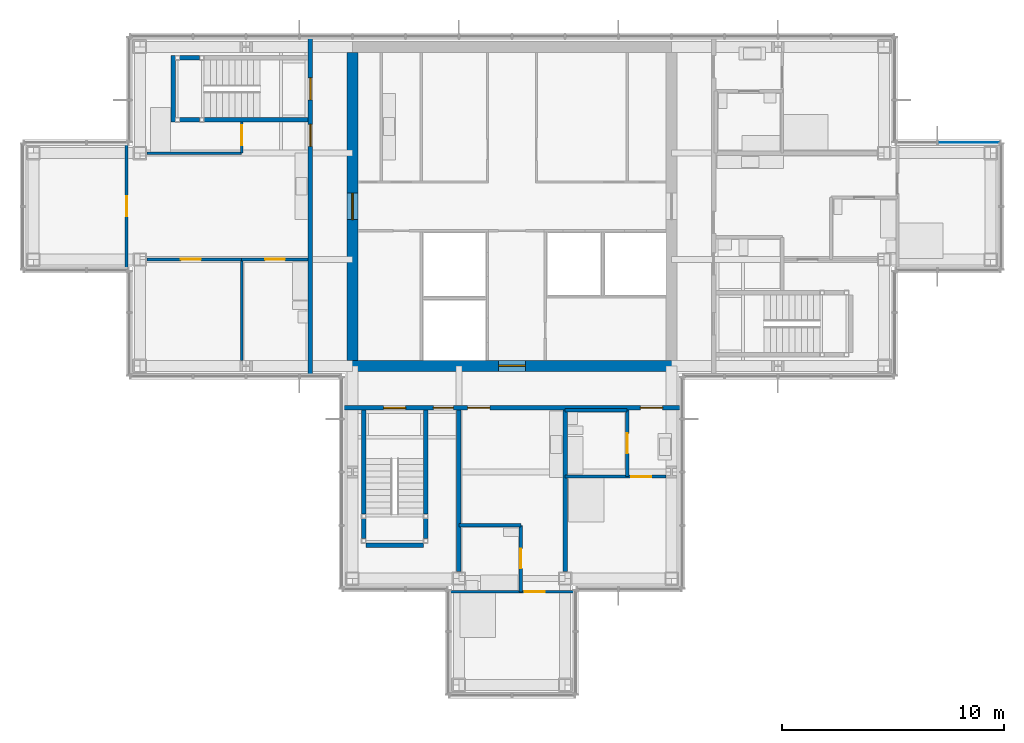
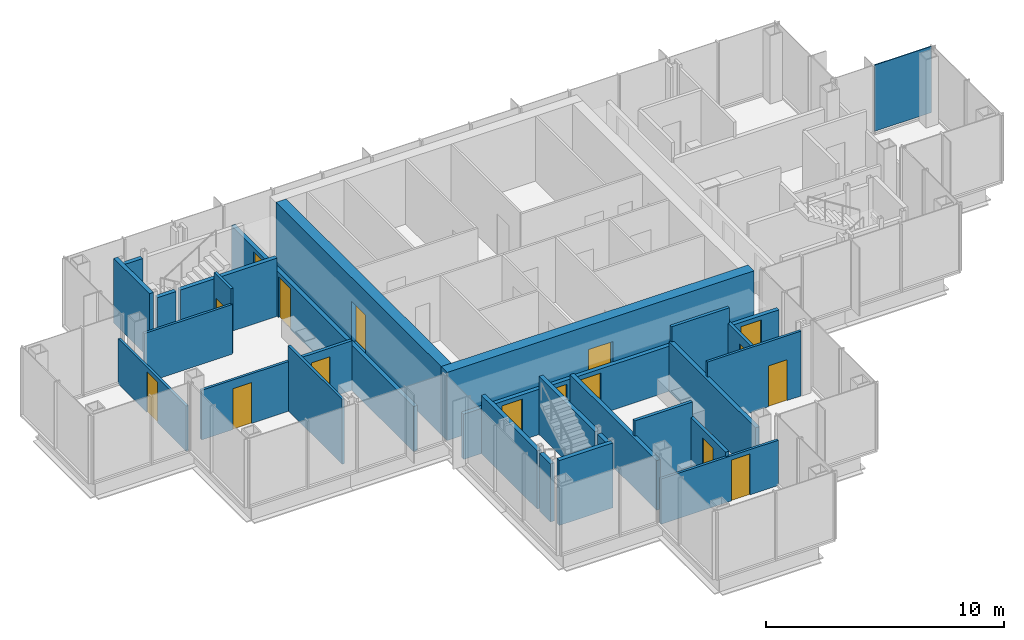
# One storey, part 10 of 15: 27 walls, 16 doors, 1 plate, 16 openings, 1 element without a shape of its own.
"""IFC4 building model written with IfcOpenShell, lengths in metres."""

import ifcopenshell
import ifcopenshell.guid

model = None  # the IFC model being written
_history = None  # IfcOwnerHistory: only IFC2X3 demands one
_inside = {}  # id of a spatial element -> (the spatial element, [elements in it])
_under = {}  # id of a project, library or spatial element -> (it, [spatial elements below it])
_declared = {}  # id of a project -> (the project, [libraries it declares])
_typed = {}  # id of a type object -> (the type object, [elements of that type])
_made_of = {}  # id of a material, layer set ... -> (it, [elements and type objects made of it])


def new_model(schema):
    """Start an empty IFC model of exactly this schema.

    Asked for "IFC4X3", IfcOpenShell would pick the latest addendum, in which some entities
    have other attributes; the version numbers below select the first issue.
    IFC2X3 requires an IfcOwnerHistory on every rooted entity: one is made here for all.
    """
    global model, _history
    if schema == "IFC4X3":
        model = ifcopenshell.file(schema_version=(4, 3, 0, 0))
    else:
        model = ifcopenshell.file(schema=schema)
    _inside.clear()
    _under.clear()
    _declared.clear()
    _typed.clear()
    _made_of.clear()
    _history = None
    if model.schema == "IFC2X3":
        org = make("IfcOrganization", Name="unknown")
        user = make(
            "IfcPersonAndOrganization",
            ThePerson=make("IfcPerson", FamilyName="unknown"),
            TheOrganization=org,
        )
        app = make(
            "IfcApplication",
            ApplicationDeveloper=org,
            Version="unknown",
            ApplicationFullName="unknown",
            ApplicationIdentifier="unknown",
        )
        _history = make(
            "IfcOwnerHistory",
            OwningUser=user,
            OwningApplication=app,
            ChangeAction="ADDED",
            CreationDate=0,
        )
    return model


def make(cls, **values):
    """One entity of the class cls with the attributes given. An attribute that is None is left unset."""
    return model.create_entity(
        cls, **{name: value for name, value in values.items() if value is not None}
    )


def rooted(cls, **values):
    """An entity with a GlobalId (a new one), such as an element, a storey or a relation."""
    return make(cls, GlobalId=ifcopenshell.guid.new(), OwnerHistory=_history, **values)


def si_unit(unit_type, name, prefix=None):
    """IfcSIUnit, for example si_unit("LENGTHUNIT", "METRE", prefix="MILLI")."""
    return make("IfcSIUnit", UnitType=unit_type, Prefix=prefix, Name=name)


def assignment(units):
    """IfcUnitAssignment: the units of a project."""
    return None if units is None else make("IfcUnitAssignment", Units=units)


def point(xyz):
    """IfcCartesianPoint."""
    return None if xyz is None else make("IfcCartesianPoint", Coordinates=xyz)


def direction(xyz):
    """IfcDirection."""
    return None if xyz is None else make("IfcDirection", DirectionRatios=xyz)


def frame(location, z_axis=None, x_axis=None):
    """IfcAxis2Placement3D, a coordinate frame: its origin and axes. An axis left out is left unset."""
    return make(
        "IfcAxis2Placement3D",
        Location=point(location),
        Axis=direction(z_axis),
        RefDirection=direction(x_axis),
    )


def frame_2d(location, x_axis=None):
    """IfcAxis2Placement2D, a coordinate frame in the plane: its origin and x axis."""
    return make(
        "IfcAxis2Placement2D", Location=point(location), RefDirection=direction(x_axis)
    )


def origin():
    """The frame at (0, 0, 0) with its axes left unset."""
    return frame((0.0, 0.0, 0.0))


def origin_2d():
    """The frame at (0, 0) in the plane with its x axis left unset."""
    return frame_2d((0.0, 0.0))


def place(relative_to, where):
    """IfcLocalPlacement: puts the frame where relative to a parent placement (None: the world)."""
    return make(
        "IfcLocalPlacement", PlacementRelTo=relative_to, RelativePlacement=where
    )


def context(
    kind, dimensions, precision=None, world=None, true_north=None, identifier=None
):
    """IfcGeometricRepresentationContext, for example the 3D "Model" context."""
    return make(
        "IfcGeometricRepresentationContext",
        ContextIdentifier=identifier,
        ContextType=kind,
        CoordinateSpaceDimension=dimensions,
        Precision=precision,
        WorldCoordinateSystem=world,
        TrueNorth=true_north,
    )


def subcontext(parent, identifier, kind, view, scale=None):
    """IfcGeometricRepresentationSubContext, for example "Body" below "Model"."""
    return make(
        "IfcGeometricRepresentationSubContext",
        ContextIdentifier=identifier,
        ContextType=kind,
        ParentContext=parent,
        TargetScale=scale,
        TargetView=view,
    )


def project(units=None, contexts=None):
    """IfcProject with its units and contexts."""
    return rooted(
        "IfcProject",
        Name="project",
        RepresentationContexts=contexts,
        UnitsInContext=assignment(units),
    )


def spatial(cls, under=None, at=None, **own):
    """A site, building, storey or space (cls), placed at a placement, below another one or the project."""
    s = rooted(cls, ObjectPlacement=at, **own)
    if under is not None:
        _under.setdefault(under.id(), (under, []))[1].append(s)
    return s


def profile(cls, at=None, kind="AREA", **sizes):
    """A parametric profile (cls). Its sizes go by their IFC names, for example OverallWidth=200.0."""
    return make(cls, ProfileType=kind, Position=at, **sizes)


def rectangle(**sizes):
    """IfcRectangleProfileDef."""
    return profile("IfcRectangleProfileDef", **sizes)


def extrude(swept, where, along, depth):
    """IfcExtrudedAreaSolid: the profile swept, set in the frame where, extruded along a direction by depth."""
    return make(
        "IfcExtrudedAreaSolid",
        SweptArea=swept,
        Position=where,
        ExtrudedDirection=direction(along),
        Depth=depth,
    )


def shape(context_of_items, identifier, shape_type, items):
    """IfcShapeRepresentation: the items that make up one representation, for example the "Body"."""
    return make(
        "IfcShapeRepresentation",
        ContextOfItems=context_of_items,
        RepresentationIdentifier=identifier,
        RepresentationType=shape_type,
        Items=items,
    )


def material(Name=None, Category=None):
    """IfcMaterial."""
    return make("IfcMaterial", Name=Name, Category=Category)


def layer(
    of_material, thickness, ventilated=None, Name=None, Category=None, Priority=None
):
    """IfcMaterialLayer: one layer of a wall or slab, of a material (None: an air gap)."""
    return make(
        "IfcMaterialLayer",
        Material=of_material,
        LayerThickness=thickness,
        IsVentilated=ventilated,
        Name=Name,
        Category=Category,
        Priority=Priority,
    )


def layer_set(layers, Name=None):
    """IfcMaterialLayerSet."""
    return make("IfcMaterialLayerSet", MaterialLayers=layers, LayerSetName=Name)


def made_of(thing, what):
    """Note that an element or type object is made of a material, layer set ...; save() writes the relation."""
    if what is not None:
        _made_of.setdefault(what.id(), (what, []))[1].append(thing)
    return thing


def type_object(cls, material=None, **own):
    """A type object (cls), such as IfcWallType, which elements share."""
    return made_of(rooted(cls, **own), material)


def element(
    cls,
    number,
    at=None,
    inside=None,
    cuts=None,
    type_object=None,
    material=None,
    context=None,
    identifier="Body",
    shape_type=None,
    held_by="IfcProductDefinitionShape",
    body=None,
    shapes=None,
    **own,
):
    """One element of the class cls, such as IfcWall. Its Tag is "e" and its number.

    at: its placement. inside: the storey or other place that contains it. cuts: it is an
    opening in that element (IfcRelVoidsElement). A single representation is given by context,
    identifier, shape_type and body (its items); several are given by shapes. held_by: the class
    of the entity that holds the representations. save() writes the other relations.
    """
    e = rooted(cls, Tag="e%d" % number, ObjectPlacement=at, **own)
    if body is not None:
        shapes = [shape(context, identifier, shape_type, body)]
    if shapes is not None:
        e.Representation = make(held_by, Representations=shapes)
    if inside is not None:
        _inside.setdefault(inside.id(), (inside, []))[1].append(e)
    if cuts is not None:
        rooted(
            "IfcRelVoidsElement", RelatingBuildingElement=cuts, RelatedOpeningElement=e
        )
    if type_object is not None:
        _typed.setdefault(type_object.id(), (type_object, []))[1].append(e)
    return made_of(e, material)


def fill(opening, filler):
    """IfcRelFillsElement: the door or window that sits in an opening."""
    return rooted(
        "IfcRelFillsElement",
        RelatingOpeningElement=opening,
        RelatedBuildingElement=filler,
    )


def aggregate(whole, parts):
    """IfcRelAggregates: a whole, such as a stair, and the parts it consists of."""
    return rooted("IfcRelAggregates", RelatingObject=whole, RelatedObjects=parts)


def save(model, path):
    """Write the relations noted so far, then the file.

    IfcRelAggregates (storeys below a building ...), IfcRelContainedInSpatialStructure (elements
    in a storey), IfcRelDefinesByType, IfcRelAssociatesMaterial and IfcRelDeclares: one each for
    every whole, place, type object, material and project.
    """
    for whole, parts in _under.values():
        aggregate(whole, parts)
    for where, things in _inside.values():
        rooted(
            "IfcRelContainedInSpatialStructure",
            RelatedElements=things,
            RelatingStructure=where,
        )
    for kind, things in _typed.values():
        rooted("IfcRelDefinesByType", RelatedObjects=things, RelatingType=kind)
    for what, things in _made_of.values():
        rooted("IfcRelAssociatesMaterial", RelatedObjects=things, RelatingMaterial=what)
    for by, libraries in _declared.values():
        rooted("IfcRelDeclares", RelatingContext=by, RelatedDefinitions=libraries)
    model.write(path)


model = new_model("IFC4")

# Units and contexts
model_context = context("Model", 3, precision=1e-05, world=origin(), true_north=direction((0.0, 1.0)))
body_context = subcontext(model_context, "Body", "Model", "MODEL_VIEW")
ifc_project = project(units=[si_unit("LENGTHUNIT", "METRE"), si_unit("AREAUNIT", "SQUARE_METRE"), si_unit("VOLUMEUNIT", "CUBIC_METRE"), si_unit("PLANEANGLEUNIT", "RADIAN"), si_unit("MASSUNIT", "GRAM", prefix="KILO")], contexts=[model_context])

# Site, building, storey
site_placement = place(None, origin())
site = spatial("IfcSite", under=ifc_project, at=site_placement, CompositionType="ELEMENT")
building_placement = place(site_placement, origin())
building = spatial("IfcBuilding", under=site, at=building_placement, Name="Kvirike Care Tower", CompositionType="ELEMENT")
storey_placement = place(building_placement, frame((0.0, 0.0, 222.5)))
storey = spatial("IfcBuildingStorey", under=building, at=storey_placement, Name="L61", CompositionType="ELEMENT", Elevation=222.5)

# Curtain wall, plate
ifc_material_1 = material(Name="Anodised aluminium stick system", Category="aluminium")
curtain_wall_type = type_object("IfcCurtainWallType", Name="CW-D STICK CURTAIN WALL", PredefinedType="NOTDEFINED", material=ifc_material_1)
curtain_wall_placement = place(storey_placement, origin())
curtain_wall = element("IfcCurtainWall", 1, at=curtain_wall_placement, inside=storey, type_object=curtain_wall_type, Name="Curtain wall L61 face 5", PredefinedType="NOTDEFINED")
ifc_material_2 = material(Name="Tinted double glazed unit", Category="glass")
ifc_layer_1 = layer(ifc_material_2, 0.0439453125)
ifc_layer_set_1 = layer_set([ifc_layer_1], Name="TINTED VISION PANEL 44")
plate_type = type_object("IfcPlateType", Name="TINTED VISION PANEL 44", PredefinedType="CURTAIN_PANEL", material=ifc_layer_set_1)
plate_placement = place(storey_placement, frame((42.2236328125, 38.8798828125, 0.10009765625), z_axis=(0.0, 0.0, 1.0), x_axis=(-1.0, 0.0, 0.0)))
plate = element("IfcPlate", 2, at=plate_placement, type_object=plate_type, Name="CW-D panel L61 face 5.1", PredefinedType="CURTAIN_PANEL", context=body_context, shape_type="SweptSolid", body=[
    extrude(rectangle(XDim=2.782470703125, YDim=0.0439453125, at=origin_2d()), origin(), (0.0, 0.0, 1.0), 3.39990234375),
])
aggregate(curtain_wall, [plate])

# Wall, opening, door
ifc_material_3 = material(Name="Moisture-resistant board partition", Category="gypsum")
ifc_layer_2 = layer(ifc_material_3, 0.14990234375)
ifc_layer_set_2 = layer_set([ifc_layer_2], Name="BATHROOM WALL 150")
wall_type_1 = type_object("IfcWallType", Name="BATHROOM WALL 150", PredefinedType="PARTITIONING", material=ifc_layer_set_2)
wall_1_placement = place(storey_placement, frame((9.39990234375, 33.60009765625, 0.0), z_axis=(0.0, 0.0, 1.0), x_axis=(1.0, 0.0, 0.0)))
wall_1 = element("IfcWall", 3, at=wall_1_placement, inside=storey, type_object=wall_type_1, Name="Bathroom Wall 150 L61", PredefinedType="PARTITIONING", context=body_context, shape_type="SweptSolid", body=[
    extrude(rectangle(XDim=3.0, YDim=0.14990234375, at=frame_2d((1.5, 0.0))), origin(), (0.0, 0.0, 1.0), 2.550048828125),
])
opening_1_placement = place(wall_1_placement, frame((1.050048828125, 0.0, 0.0)))
opening_1 = element("IfcOpeningElement", 4, at=opening_1_placement, cuts=wall_1, Name="Opening 61-001", PredefinedType="OPENING", context=body_context, shape_type="SweptSolid", body=[
    extrude(rectangle(XDim=0.89990234375, YDim=2.10009765625, at=frame_2d((0.449951171875, 1.050048828125))), frame((0.0, 0.08544921875, 0.0), z_axis=(0.0, -1.0, 0.0), x_axis=(1.0, 0.0, 0.0)), (0.0, 0.0, 1.0), 0.1708984375),
])
ifc_material_4 = material(Name="Timber door set", Category="wood")
door_type_1 = type_object("IfcDoorType", Name="BATHROOM DOOR 900", OperationType="SINGLE_SWING_RIGHT", PredefinedType="DOOR", material=ifc_material_4)
door_1_placement = place(opening_1_placement, frame((0.89990234375, 0.0, 0.0), z_axis=(0.0, 0.0, 1.0), x_axis=(-1.0, 0.0, 0.0)))
door_1 = element("IfcDoor", 5, at=door_1_placement, inside=storey, type_object=door_type_1, Name="Bathroom door", OperationType="SINGLE_SWING_LEFT", OverallHeight=2.10009765625, OverallWidth=0.89990234375, PredefinedType="DOOR", context=body_context, shape_type="SweptSolid", body=[
    extrude(rectangle(XDim=0.89990234375, YDim=2.10009765625, at=frame_2d((0.449951171875, 1.050048828125))), frame((0.0, 0.02197265625, 0.0), z_axis=(0.0, -1.0, 0.0), x_axis=(1.0, 0.0, 0.0)), (0.0, 0.0, 1.0), 0.0439453125),
])
fill(opening_1, door_1)

wall_2_placement = place(storey_placement, frame((22.0, 18.60009765625, 0.0), z_axis=(0.0, 0.0, 1.0), x_axis=(0.0, 1.0, 0.0)))
wall_2 = element("IfcWall", 6, at=wall_2_placement, inside=storey, type_object=wall_type_1, Name="Bathroom Wall 150 L61", PredefinedType="PARTITIONING", context=body_context, shape_type="SweptSolid", body=[
    extrude(rectangle(XDim=3.0, YDim=0.14990234375, at=frame_2d((1.5, 0.0))), origin(), (0.0, 0.0, 1.0), 2.550048828125),
])
opening_2_placement = place(wall_2_placement, frame((1.050048828125, 0.0, 0.0)))
opening_2 = element("IfcOpeningElement", 7, at=opening_2_placement, cuts=wall_2, Name="Opening 61-007", PredefinedType="OPENING", context=body_context, shape_type="SweptSolid", body=[
    extrude(rectangle(XDim=0.89990234375, YDim=2.10009765625, at=frame_2d((0.449951171875, 1.050048828125))), frame((0.0, 0.08544921875, 0.0), z_axis=(0.0, -1.0, 0.0), x_axis=(1.0, 0.0, 0.0)), (0.0, 0.0, 1.0), 0.1708984375),
])
door_2_placement = place(opening_2_placement, origin())
door_2 = element("IfcDoor", 8, at=door_2_placement, inside=storey, type_object=door_type_1, Name="Bathroom door", OperationType="SINGLE_SWING_LEFT", OverallHeight=2.10009765625, OverallWidth=0.89990234375, PredefinedType="DOOR", context=body_context, shape_type="SweptSolid", body=[
    extrude(rectangle(XDim=0.89990234375, YDim=2.10009765625, at=frame_2d((0.449951171875, 1.050048828125))), frame((0.0, 0.02197265625, 0.0), z_axis=(0.0, -1.0, 0.0), x_axis=(1.0, 0.0, 0.0)), (0.0, 0.0, 1.0), 0.0439453125),
])
fill(opening_2, door_2)

# Wall
wall_3_placement = place(storey_placement, frame((19.199951171875, 21.60009765625, 0.0), z_axis=(0.0, 0.0, 1.0), x_axis=(1.0, 0.0, 0.0)))
element("IfcWall", 9, at=wall_3_placement, inside=storey, type_object=wall_type_1, Name="Bathroom Wall 150 L61", PredefinedType="PARTITIONING", context=body_context, shape_type="SweptSolid", body=[
    extrude(rectangle(XDim=2.800048828125, YDim=0.14990234375, at=frame_2d((1.39990234375, 0.0))), origin(), (0.0, 0.0, 1.0), 3.330078125),
])

# Wall, opening, door
wall_4_placement = place(storey_placement, frame((26.800048828125, 23.800048828125, 0.0), z_axis=(0.0, 0.0, 1.0), x_axis=(0.0, 1.0, 0.0)))
wall_4 = element("IfcWall", 10, at=wall_4_placement, inside=storey, type_object=wall_type_1, Name="Bathroom Wall 150 L61", PredefinedType="PARTITIONING", context=body_context, shape_type="SweptSolid", body=[
    extrude(rectangle(XDim=3.0, YDim=0.14990234375, at=frame_2d((1.5, 0.0))), origin(), (0.0, 0.0, 1.0), 2.550048828125),
])
opening_3_placement = place(wall_4_placement, frame((1.050048828125, 0.0, 0.0)))
opening_3 = element("IfcOpeningElement", 11, at=opening_3_placement, cuts=wall_4, Name="Opening 61-009", PredefinedType="OPENING", context=body_context, shape_type="SweptSolid", body=[
    extrude(rectangle(XDim=0.89990234375, YDim=2.10009765625, at=frame_2d((0.449951171875, 1.050048828125))), frame((0.0, 0.08544921875, 0.0), z_axis=(0.0, -1.0, 0.0), x_axis=(1.0, 0.0, 0.0)), (0.0, 0.0, 1.0), 0.1708984375),
])
door_3_placement = place(opening_3_placement, frame((0.89990234375, 0.0, 0.0), z_axis=(0.0, 0.0, 1.0), x_axis=(-1.0, 0.0, 0.0)))
door_3 = element("IfcDoor", 12, at=door_3_placement, inside=storey, type_object=door_type_1, Name="Bathroom door", OperationType="SINGLE_SWING_LEFT", OverallHeight=2.10009765625, OverallWidth=0.89990234375, PredefinedType="DOOR", context=body_context, shape_type="SweptSolid", body=[
    extrude(rectangle(XDim=0.89990234375, YDim=2.10009765625, at=frame_2d((0.449951171875, 1.050048828125))), frame((0.0, 0.02197265625, 0.0), z_axis=(0.0, -1.0, 0.0), x_axis=(1.0, 0.0, 0.0)), (0.0, 0.0, 1.0), 0.0439453125),
])
fill(opening_3, door_3)

# Wall
wall_5_placement = place(storey_placement, frame((24.0, 26.800048828125, 0.0), z_axis=(0.0, 0.0, 1.0), x_axis=(1.0, 0.0, 0.0)))
element("IfcWall", 13, at=wall_5_placement, inside=storey, type_object=wall_type_1, Name="Bathroom Wall 150 L61", PredefinedType="PARTITIONING", context=body_context, shape_type="SweptSolid", body=[
    extrude(rectangle(XDim=2.800048828125, YDim=0.14990234375, at=frame_2d((1.39990234375, 0.0))), origin(), (0.0, 0.0, 1.0), 3.330078125),
])

# Wall, opening, door
ifc_material_5 = material(Name="Concrete C40/50", Category="concrete")
ifc_layer_3 = layer(ifc_material_5, 0.5)
ifc_layer_set_3 = layer_set([ifc_layer_3], Name="CORE WALL 500 C40-50")
wall_type_2 = type_object("IfcWallType", Name="CORE WALL 500 C40-50", PredefinedType="SHEAR", material=ifc_layer_set_3)
wall_6_placement = place(storey_placement, frame((14.14990234375, 28.800048828125, -0.169921875), z_axis=(0.0, 0.0, 1.0), x_axis=(1.0, 0.0, 0.0)))
wall_6 = element("IfcWall", 14, at=wall_6_placement, inside=storey, type_object=wall_type_2, Name="Core wall S L61", PredefinedType="SHEAR", context=body_context, shape_type="SweptSolid", body=[
    extrude(rectangle(XDim=14.900146484375, YDim=0.5, at=frame_2d((7.4501953125, 0.0))), origin(), (0.0, 0.0, 1.0), 3.5),
])
opening_4_placement = place(wall_6_placement, frame((6.85009765625, 0.0, 0.169921875)))
opening_4 = element("IfcOpeningElement", 15, at=opening_4_placement, cuts=wall_6, Name="Opening 61-037", PredefinedType="OPENING", context=body_context, shape_type="SweptSolid", body=[
    extrude(rectangle(XDim=1.199951171875, YDim=2.10009765625, at=frame_2d((0.60009765625, 1.050048828125))), frame((0.0, 0.260498046875, 0.0), z_axis=(0.0, -1.0, 0.0), x_axis=(1.0, 0.0, 0.0)), (0.0, 0.0, 1.0), 0.52099609375),
])
ifc_material_6 = material(Name="Timber door set", Category="wood")
door_type_2 = type_object("IfcDoorType", Name="CORE DOOR 1200", OperationType="SINGLE_SWING_LEFT", PredefinedType="DOOR", material=ifc_material_6)
door_4_placement = place(opening_4_placement, origin())
door_4 = element("IfcDoor", 16, at=door_4_placement, inside=storey, type_object=door_type_2, Name="Core door S L61", OperationType="SINGLE_SWING_LEFT", OverallHeight=2.10009765625, OverallWidth=1.199951171875, PredefinedType="DOOR", context=body_context, shape_type="SweptSolid", body=[
    extrude(rectangle(XDim=1.199951171875, YDim=2.10009765625, at=frame_2d((0.60009765625, 1.050048828125))), frame((0.0, 0.02685546875, 0.0), z_axis=(0.0, -1.0, 0.0), x_axis=(1.0, 0.0, 0.0)), (0.0, 0.0, 1.0), 0.053955078125),
])
fill(opening_4, door_4)

wall_7_placement = place(storey_placement, frame((14.39990234375, 42.949951171875, -0.169921875), z_axis=(0.0, 0.0, 1.0), x_axis=(0.0, -1.0, 0.0)))
wall_7 = element("IfcWall", 17, at=wall_7_placement, inside=storey, type_object=wall_type_2, Name="Core wall W L61", PredefinedType="SHEAR", context=body_context, shape_type="SweptSolid", body=[
    extrude(rectangle(XDim=13.89990234375, YDim=0.5, at=frame_2d((6.949951171875, 0.0))), origin(), (0.0, 0.0, 1.0), 3.5),
])
opening_5_placement = place(wall_7_placement, frame((6.35009765625, 0.0, 0.169921875)))
opening_5 = element("IfcOpeningElement", 18, at=opening_5_placement, cuts=wall_7, Name="Opening 61-038", PredefinedType="OPENING", context=body_context, shape_type="SweptSolid", body=[
    extrude(rectangle(XDim=1.199951171875, YDim=2.10009765625, at=frame_2d((0.60009765625, 1.050048828125))), frame((0.0, 0.260498046875, 0.0), z_axis=(0.0, -1.0, 0.0), x_axis=(1.0, 0.0, 0.0)), (0.0, 0.0, 1.0), 0.52099609375),
])
door_5_placement = place(opening_5_placement, origin())
door_5 = element("IfcDoor", 19, at=door_5_placement, inside=storey, type_object=door_type_2, Name="Core door W L61", OperationType="SINGLE_SWING_LEFT", OverallHeight=2.10009765625, OverallWidth=1.199951171875, PredefinedType="DOOR", context=body_context, shape_type="SweptSolid", body=[
    extrude(rectangle(XDim=1.199951171875, YDim=2.10009765625, at=frame_2d((0.60009765625, 1.050048828125))), frame((0.0, 0.02685546875, 0.0), z_axis=(0.0, -1.0, 0.0), x_axis=(1.0, 0.0, 0.0)), (0.0, 0.0, 1.0), 0.053955078125),
])
fill(opening_5, door_5)

# Wall, openings, doors
ifc_material_7 = material(Name="Plasterboard corridor wall", Category="gypsum")
ifc_layer_4 = layer(ifc_material_7, 0.199951171875)
ifc_layer_set_4 = layer_set([ifc_layer_4], Name="CORRIDOR WALL 200")
wall_type_3 = type_object("IfcWallType", Name="CORRIDOR WALL 200", PredefinedType="PARTITIONING", material=ifc_layer_set_4)
wall_8_placement = place(storey_placement, frame((12.5, 43.655029296875, 0.0), z_axis=(0.0, 0.0, 1.0), x_axis=(0.0, -1.0, 0.0)))
wall_8 = element("IfcWall", 20, at=wall_8_placement, inside=storey, type_object=wall_type_3, Name="Corridor Wall 200 L61", PredefinedType="PARTITIONING", context=body_context, shape_type="SweptSolid", body=[
    extrude(rectangle(XDim=15.31005859375, YDim=0.199951171875, at=frame_2d((7.655029296875, 0.0))), origin(), (0.0, 0.0, 1.0), 2.320068359375),
])
opening_6_placement = place(wall_8_placement, frame((1.85498046875, 0.0, 0.0)))
opening_6 = element("IfcOpeningElement", 21, at=opening_6_placement, cuts=wall_8, Name="Opening 61-005", PredefinedType="OPENING", context=body_context, shape_type="SweptSolid", body=[
    extrude(rectangle(XDim=1.0, YDim=2.10009765625, at=frame_2d((0.5, 1.050048828125))), frame((0.0, 0.110595703125, 0.0), z_axis=(0.0, -1.0, 0.0), x_axis=(1.0, 0.0, 0.0)), (0.0, 0.0, 1.0), 0.220947265625),
])
opening_7_placement = place(wall_8_placement, frame((3.955078125, 0.0, 0.0)))
opening_7 = element("IfcOpeningElement", 22, at=opening_7_placement, cuts=wall_8, Name="Opening 61-006", PredefinedType="OPENING", context=body_context, shape_type="SweptSolid", body=[
    extrude(rectangle(XDim=1.0, YDim=2.10009765625, at=frame_2d((0.5, 1.050048828125))), frame((0.0, 0.110595703125, 0.0), z_axis=(0.0, -1.0, 0.0), x_axis=(1.0, 0.0, 0.0)), (0.0, 0.0, 1.0), 0.220947265625),
])
ifc_material_8 = material(Name="Timber door set", Category="wood")
door_type_3 = type_object("IfcDoorType", Name="FLAT ENTRANCE DOOR 1000", OperationType="SINGLE_SWING_LEFT", PredefinedType="DOOR", material=ifc_material_8)
door_6_placement = place(opening_7_placement, frame((1.0, 0.0, 0.0), z_axis=(0.0, 0.0, 1.0), x_axis=(-1.0, 0.0, 0.0)))
door_6 = element("IfcDoor", 23, at=door_6_placement, inside=storey, type_object=door_type_3, Name="One-bedroom apartment entrance", OperationType="SINGLE_SWING_LEFT", OverallHeight=2.10009765625, OverallWidth=1.0, PredefinedType="DOOR", context=body_context, shape_type="SweptSolid", body=[
    extrude(rectangle(XDim=1.0, YDim=2.10009765625, at=frame_2d((0.5, 1.050048828125))), frame((0.0, 0.02685546875, 0.0), z_axis=(0.0, -1.0, 0.0), x_axis=(1.0, 0.0, 0.0)), (0.0, 0.0, 1.0), 0.053955078125),
])
fill(opening_7, door_6)
ifc_material_9 = material(Name="Timber door set", Category="wood")
door_type_4 = type_object("IfcDoorType", Name="STAIR DOOR 1000", OperationType="SINGLE_SWING_LEFT", PredefinedType="DOOR", material=ifc_material_9)
door_7_placement = place(opening_6_placement, frame((1.0, 0.0, 0.0), z_axis=(0.0, 0.0, 1.0), x_axis=(-1.0, 0.0, 0.0)))
door_7 = element("IfcDoor", 24, at=door_7_placement, inside=storey, type_object=door_type_4, Name="Stair 1 door", OperationType="SINGLE_SWING_LEFT", OverallHeight=2.10009765625, OverallWidth=1.0, PredefinedType="DOOR", context=body_context, shape_type="SweptSolid", body=[
    extrude(rectangle(XDim=1.0, YDim=2.10009765625, at=frame_2d((0.5, 1.050048828125))), frame((0.0, 0.031982421875, 0.0), z_axis=(0.0, -1.0, 0.0), x_axis=(1.0, 0.0, 0.0)), (0.0, 0.0, 1.0), 0.06396484375),
])
fill(opening_6, door_7)

wall_9_placement = place(storey_placement, frame((13.945068359375, 26.89990234375, 0.0), z_axis=(0.0, 0.0, 1.0), x_axis=(1.0, 0.0, 0.0)))
wall_9 = element("IfcWall", 25, at=wall_9_placement, inside=storey, type_object=wall_type_3, Name="Corridor Wall 200 L61", PredefinedType="PARTITIONING", context=body_context, shape_type="SweptSolid", body=[
    extrude(rectangle(XDim=15.309814453125, YDim=0.199951171875, at=frame_2d((7.65478515625, 0.0))), origin(), (0.0, 0.0, 1.0), 2.320068359375),
])
opening_8_placement = place(wall_9_placement, frame((1.85498046875, 0.0, 0.0)))
opening_8 = element("IfcOpeningElement", 26, at=opening_8_placement, cuts=wall_9, Name="Opening 61-011", PredefinedType="OPENING", context=body_context, shape_type="SweptSolid", body=[
    extrude(rectangle(XDim=1.0, YDim=2.10009765625, at=frame_2d((0.5, 1.050048828125))), frame((0.0, 0.110595703125, 0.0), z_axis=(0.0, -1.0, 0.0), x_axis=(1.0, 0.0, 0.0)), (0.0, 0.0, 1.0), 0.220947265625),
])
opening_9_placement = place(wall_9_placement, frame((4.10498046875, 0.0, 0.0)))
opening_9 = element("IfcOpeningElement", 27, at=opening_9_placement, cuts=wall_9, Name="Opening 61-012", PredefinedType="OPENING", context=body_context, shape_type="SweptSolid", body=[
    extrude(rectangle(XDim=0.89990234375, YDim=2.10009765625, at=frame_2d((0.449951171875, 1.050048828125))), frame((0.0, 0.110595703125, 0.0), z_axis=(0.0, -1.0, 0.0), x_axis=(1.0, 0.0, 0.0)), (0.0, 0.0, 1.0), 0.220947265625),
])
opening_10_placement = place(wall_9_placement, frame((5.655029296875, 0.0, 0.0)))
opening_10 = element("IfcOpeningElement", 28, at=opening_10_placement, cuts=wall_9, Name="Opening 61-013", PredefinedType="OPENING", context=body_context, shape_type="SweptSolid", body=[
    extrude(rectangle(XDim=1.0, YDim=2.10009765625, at=frame_2d((0.5, 1.050048828125))), frame((0.0, 0.110595703125, 0.0), z_axis=(0.0, -1.0, 0.0), x_axis=(1.0, 0.0, 0.0)), (0.0, 0.0, 1.0), 0.220947265625),
])
opening_11_placement = place(wall_9_placement, frame((13.455078125, 0.0, 0.0)))
opening_11 = element("IfcOpeningElement", 29, at=opening_11_placement, cuts=wall_9, Name="Opening 61-014", PredefinedType="OPENING", context=body_context, shape_type="SweptSolid", body=[
    extrude(rectangle(XDim=1.0, YDim=2.10009765625, at=frame_2d((0.5, 1.050048828125))), frame((0.0, 0.110595703125, 0.0), z_axis=(0.0, -1.0, 0.0), x_axis=(1.0, 0.0, 0.0)), (0.0, 0.0, 1.0), 0.220947265625),
])
door_8_placement = place(opening_10_placement, frame((1.0, 0.0, 0.0), z_axis=(0.0, 0.0, 1.0), x_axis=(-1.0, 0.0, 0.0)))
door_8 = element("IfcDoor", 30, at=door_8_placement, inside=storey, type_object=door_type_3, Name="Studio apartment entrance", OperationType="SINGLE_SWING_LEFT", OverallHeight=2.10009765625, OverallWidth=1.0, PredefinedType="DOOR", context=body_context, shape_type="SweptSolid", body=[
    extrude(rectangle(XDim=1.0, YDim=2.10009765625, at=frame_2d((0.5, 1.050048828125))), frame((0.0, 0.02685546875, 0.0), z_axis=(0.0, -1.0, 0.0), x_axis=(1.0, 0.0, 0.0)), (0.0, 0.0, 1.0), 0.053955078125),
])
fill(opening_10, door_8)
door_9_placement = place(opening_11_placement, frame((1.0, 0.0, 0.0), z_axis=(0.0, 0.0, 1.0), x_axis=(-1.0, 0.0, 0.0)))
door_9 = element("IfcDoor", 31, at=door_9_placement, inside=storey, type_object=door_type_3, Name="Studio apartment entrance", OperationType="SINGLE_SWING_RIGHT", OverallHeight=2.10009765625, OverallWidth=1.0, PredefinedType="DOOR", context=body_context, shape_type="SweptSolid", body=[
    extrude(rectangle(XDim=1.0, YDim=2.10009765625, at=frame_2d((0.5, 1.050048828125))), frame((0.0, 0.02685546875, 0.0), z_axis=(0.0, -1.0, 0.0), x_axis=(1.0, 0.0, 0.0)), (0.0, 0.0, 1.0), 0.053955078125),
])
fill(opening_11, door_9)
door_10_placement = place(opening_8_placement, frame((1.0, 0.0, 0.0), z_axis=(0.0, 0.0, 1.0), x_axis=(-1.0, 0.0, 0.0)))
door_10 = element("IfcDoor", 32, at=door_10_placement, inside=storey, type_object=door_type_4, Name="Stair 5 door", OperationType="SINGLE_SWING_LEFT", OverallHeight=2.10009765625, OverallWidth=1.0, PredefinedType="DOOR", context=body_context, shape_type="SweptSolid", body=[
    extrude(rectangle(XDim=1.0, YDim=2.10009765625, at=frame_2d((0.5, 1.050048828125))), frame((0.0, 0.031982421875, 0.0), z_axis=(0.0, -1.0, 0.0), x_axis=(1.0, 0.0, 0.0)), (0.0, 0.0, 1.0), 0.06396484375),
])
fill(opening_8, door_10)
ifc_material_10 = material(Name="Timber door set", Category="wood")
door_type_5 = type_object("IfcDoorType", Name="STORE DOOR 900", OperationType="SINGLE_SWING_LEFT", PredefinedType="DOOR", material=ifc_material_10)
door_11_placement = place(opening_9_placement, frame((0.89990234375, 0.0, 0.0), z_axis=(0.0, 0.0, 1.0), x_axis=(-1.0, 0.0, 0.0)))
door_11 = element("IfcDoor", 33, at=door_11_placement, inside=storey, type_object=door_type_5, Name="Housekeeping room door", OperationType="SINGLE_SWING_LEFT", OverallHeight=2.10009765625, OverallWidth=0.89990234375, PredefinedType="DOOR", context=body_context, shape_type="SweptSolid", body=[
    extrude(rectangle(XDim=0.89990234375, YDim=2.10009765625, at=frame_2d((0.449951171875, 1.050048828125))), frame((0.0, 0.02685546875, 0.0), z_axis=(0.0, -1.0, 0.0), x_axis=(1.0, 0.0, 0.0)), (0.0, 0.0, 1.0), 0.053955078125),
])
fill(opening_9, door_11)

# Wall, opening, door
ifc_material_11 = material(Name="Plasterboard partition", Category="gypsum")
ifc_layer_5 = layer(ifc_material_11, 0.1201171875)
ifc_layer_set_5 = layer_set([ifc_layer_5], Name="PARTITION 120")
wall_type_4 = type_object("IfcWallType", Name="PARTITION 120", PredefinedType="PARTITIONING", material=ifc_layer_set_5)
wall_10_placement = place(storey_placement, frame((9.39990234375, 39.800048828125, 0.0), z_axis=(0.0, 0.0, 1.0), x_axis=(0.0, -1.0, 0.0)))
wall_10 = element("IfcWall", 34, at=wall_10_placement, inside=storey, type_object=wall_type_4, Name="Partition 120 L61", PredefinedType="PARTITIONING", context=body_context, shape_type="SweptSolid", body=[
    extrude(rectangle(XDim=1.400146484375, YDim=0.1201171875, at=frame_2d((0.7001953125, 0.0))), origin(), (0.0, 0.0, 1.0), 3.330078125),
])
opening_12_placement = place(wall_10_placement, frame((0.14990234375, 0.0, 0.0)))
opening_12 = element("IfcOpeningElement", 35, at=opening_12_placement, cuts=wall_10, Name="Opening 61-002", PredefinedType="OPENING", context=body_context, shape_type="SweptSolid", body=[
    extrude(rectangle(XDim=0.89990234375, YDim=2.10009765625, at=frame_2d((0.449951171875, 1.050048828125))), frame((0.0, 0.070556640625, 0.0), z_axis=(0.0, -1.0, 0.0), x_axis=(1.0, 0.0, 0.0)), (0.0, 0.0, 1.0), 0.14111328125),
])
ifc_material_12 = material(Name="Timber door set", Category="wood")
door_type_6 = type_object("IfcDoorType", Name="INTERNAL DOOR 900", OperationType="SINGLE_SWING_LEFT", PredefinedType="DOOR", material=ifc_material_12)
door_12_placement = place(opening_12_placement, frame((0.89990234375, 0.0, 0.0), z_axis=(0.0, 0.0, 1.0), x_axis=(-1.0, 0.0, 0.0)))
door_12 = element("IfcDoor", 36, at=door_12_placement, inside=storey, type_object=door_type_6, Name="Apartment bedroom door", OperationType="SINGLE_SWING_LEFT", OverallHeight=2.10009765625, OverallWidth=0.89990234375, PredefinedType="DOOR", context=body_context, shape_type="SweptSolid", body=[
    extrude(rectangle(XDim=0.89990234375, YDim=2.10009765625, at=frame_2d((0.449951171875, 1.050048828125))), frame((0.0, 0.02197265625, 0.0), z_axis=(0.0, -1.0, 0.0), x_axis=(1.0, 0.0, 0.0)), (0.0, 0.0, 1.0), 0.0439453125),
])
fill(opening_12, door_12)

wall_11_placement = place(storey_placement, frame((4.199951171875, 38.85498046875, 0.0), z_axis=(0.0, 0.0, 1.0), x_axis=(0.0, -1.0, 0.0)))
wall_11 = element("IfcWall", 37, at=wall_11_placement, inside=storey, type_object=wall_type_4, Name="Partition 120 L61", PredefinedType="PARTITIONING", context=body_context, shape_type="SweptSolid", body=[
    extrude(rectangle(XDim=5.7099609375, YDim=0.1201171875, at=frame_2d((2.85498046875, 0.0))), origin(), (0.0, 0.0, 1.0), 2.320068359375),
])
opening_13_placement = place(wall_11_placement, frame((2.405029296875, 0.0, 0.0)))
opening_13 = element("IfcOpeningElement", 38, at=opening_13_placement, cuts=wall_11, Name="Opening 61-003", PredefinedType="OPENING", context=body_context, shape_type="SweptSolid", body=[
    extrude(rectangle(XDim=0.89990234375, YDim=2.10009765625, at=frame_2d((0.449951171875, 1.050048828125))), frame((0.0, 0.070556640625, 0.0), z_axis=(0.0, -1.0, 0.0), x_axis=(1.0, 0.0, 0.0)), (0.0, 0.0, 1.0), 0.14111328125),
])
door_13_placement = place(opening_13_placement, frame((0.89990234375, 0.0, 0.0), z_axis=(0.0, 0.0, 1.0), x_axis=(-1.0, 0.0, 0.0)))
door_13 = element("IfcDoor", 39, at=door_13_placement, inside=storey, type_object=door_type_6, Name="Apartment living and dining room door", OperationType="SINGLE_SWING_LEFT", OverallHeight=2.10009765625, OverallWidth=0.89990234375, PredefinedType="DOOR", context=body_context, shape_type="SweptSolid", body=[
    extrude(rectangle(XDim=0.89990234375, YDim=2.10009765625, at=frame_2d((0.449951171875, 1.050048828125))), frame((0.0, 0.02197265625, 0.0), z_axis=(0.0, -1.0, 0.0), x_axis=(1.0, 0.0, 0.0)), (0.0, 0.0, 1.0), 0.0439453125),
])
fill(opening_13, door_13)

# Walls
wall_12_placement = place(storey_placement, frame((9.39990234375, 33.60009765625, 0.0), z_axis=(0.0, 0.0, 1.0), x_axis=(0.0, -1.0, 0.0)))
element("IfcWall", 40, at=wall_12_placement, inside=storey, type_object=wall_type_4, Name="Partition 120 L61", PredefinedType="PARTITIONING", context=body_context, shape_type="SweptSolid", body=[
    extrude(rectangle(XDim=4.55615234375, YDim=0.1201171875, at=frame_2d((2.278076171875, 0.0))), origin(), (0.0, 0.0, 1.0), 3.330078125),
])
wall_13_placement = place(storey_placement, frame((5.1201171875, 38.39990234375, 0.0), z_axis=(0.0, 0.0, 1.0), x_axis=(1.0, 0.0, 0.0)))
element("IfcWall", 41, at=wall_13_placement, inside=storey, type_object=wall_type_4, Name="Partition 120 L61", PredefinedType="PARTITIONING", context=body_context, shape_type="SweptSolid", body=[
    extrude(rectangle(XDim=4.27978515625, YDim=0.1201171875, at=frame_2d((2.139892578125, 0.0))), origin(), (0.0, 0.0, 1.0), 2.550048828125),
])

# Wall, opening, door
wall_14_placement = place(storey_placement, frame((5.1201171875, 33.60009765625, 0.0), z_axis=(0.0, 0.0, 1.0), x_axis=(1.0, 0.0, 0.0)))
wall_14 = element("IfcWall", 42, at=wall_14_placement, inside=storey, type_object=wall_type_4, Name="Partition 120 L61", PredefinedType="PARTITIONING", context=body_context, shape_type="SweptSolid", body=[
    extrude(rectangle(XDim=4.27978515625, YDim=0.1201171875, at=frame_2d((2.139892578125, 0.0))), origin(), (0.0, 0.0, 1.0), 2.550048828125),
])
opening_14_placement = place(wall_14_placement, frame((1.530029296875, 0.0, 0.0)))
opening_14 = element("IfcOpeningElement", 43, at=opening_14_placement, cuts=wall_14, Name="Opening 61-004", PredefinedType="OPENING", context=body_context, shape_type="SweptSolid", body=[
    extrude(rectangle(XDim=0.89990234375, YDim=2.10009765625, at=frame_2d((0.449951171875, 1.050048828125))), frame((0.0, 0.070556640625, 0.0), z_axis=(0.0, -1.0, 0.0), x_axis=(1.0, 0.0, 0.0)), (0.0, 0.0, 1.0), 0.14111328125),
])
door_14_placement = place(opening_14_placement, frame((0.89990234375, 0.0, 0.0), z_axis=(0.0, 0.0, 1.0), x_axis=(-1.0, 0.0, 0.0)))
door_14 = element("IfcDoor", 44, at=door_14_placement, inside=storey, type_object=door_type_6, Name="Connecting door", OperationType="SINGLE_SWING_LEFT", OverallHeight=2.10009765625, OverallWidth=0.89990234375, PredefinedType="DOOR", context=body_context, shape_type="SweptSolid", body=[
    extrude(rectangle(XDim=0.89990234375, YDim=2.10009765625, at=frame_2d((0.449951171875, 1.050048828125))), frame((0.0, 0.02197265625, 0.0), z_axis=(0.0, -1.0, 0.0), x_axis=(1.0, 0.0, 0.0)), (0.0, 0.0, 1.0), 0.0439453125),
])
fill(opening_14, door_14)

wall_15_placement = place(storey_placement, frame((18.7451171875, 18.60009765625, 0.0), z_axis=(0.0, 0.0, 1.0), x_axis=(1.0, 0.0, 0.0)))
wall_15 = element("IfcWall", 45, at=wall_15_placement, inside=storey, type_object=wall_type_4, Name="Partition 120 L61", PredefinedType="PARTITIONING", context=body_context, shape_type="SweptSolid", body=[
    extrude(rectangle(XDim=5.7099609375, YDim=0.1201171875, at=frame_2d((2.85498046875, 0.0))), origin(), (0.0, 0.0, 1.0), 2.320068359375),
])
opening_15_placement = place(wall_15_placement, frame((3.429931640625, 0.0, 0.0)))
opening_15 = element("IfcOpeningElement", 46, at=opening_15_placement, cuts=wall_15, Name="Opening 61-008", PredefinedType="OPENING", context=body_context, shape_type="SweptSolid", body=[
    extrude(rectangle(XDim=0.89990234375, YDim=2.10009765625, at=frame_2d((0.449951171875, 1.050048828125))), frame((0.0, 0.070556640625, 0.0), z_axis=(0.0, -1.0, 0.0), x_axis=(1.0, 0.0, 0.0)), (0.0, 0.0, 1.0), 0.14111328125),
])
door_15_placement = place(opening_15_placement, frame((0.89990234375, 0.0, 0.0), z_axis=(0.0, 0.0, 1.0), x_axis=(-1.0, 0.0, 0.0)))
door_15 = element("IfcDoor", 47, at=door_15_placement, inside=storey, type_object=door_type_6, Name="Studio apartment living room door", OperationType="SINGLE_SWING_RIGHT", OverallHeight=2.10009765625, OverallWidth=0.89990234375, PredefinedType="DOOR", context=body_context, shape_type="SweptSolid", body=[
    extrude(rectangle(XDim=0.89990234375, YDim=2.10009765625, at=frame_2d((0.449951171875, 1.050048828125))), frame((0.0, 0.02197265625, 0.0), z_axis=(0.0, -1.0, 0.0), x_axis=(1.0, 0.0, 0.0)), (0.0, 0.0, 1.0), 0.0439453125),
])
fill(opening_15, door_15)

wall_16_placement = place(storey_placement, frame((24.0, 23.800048828125, 0.0), z_axis=(0.0, 0.0, 1.0), x_axis=(1.0, 0.0, 0.0)))
wall_16 = element("IfcWall", 48, at=wall_16_placement, inside=storey, type_object=wall_type_4, Name="Partition 120 L61", PredefinedType="PARTITIONING", context=body_context, shape_type="SweptSolid", body=[
    extrude(rectangle(XDim=4.555908203125, YDim=0.1201171875, at=frame_2d((2.27783203125, 0.0))), origin(), (0.0, 0.0, 1.0), 3.330078125),
])
opening_16_placement = place(wall_16_placement, frame((2.97509765625, 0.0, 0.0)))
opening_16 = element("IfcOpeningElement", 49, at=opening_16_placement, cuts=wall_16, Name="Opening 61-010", PredefinedType="OPENING", context=body_context, shape_type="SweptSolid", body=[
    extrude(rectangle(XDim=0.89990234375, YDim=2.10009765625, at=frame_2d((0.449951171875, 1.050048828125))), frame((0.0, 0.070556640625, 0.0), z_axis=(0.0, -1.0, 0.0), x_axis=(1.0, 0.0, 0.0)), (0.0, 0.0, 1.0), 0.14111328125),
])
door_16_placement = place(opening_16_placement, origin())
door_16 = element("IfcDoor", 50, at=door_16_placement, inside=storey, type_object=door_type_6, Name="Studio apartment living room door", OperationType="SINGLE_SWING_RIGHT", OverallHeight=2.10009765625, OverallWidth=0.89990234375, PredefinedType="DOOR", context=body_context, shape_type="SweptSolid", body=[
    extrude(rectangle(XDim=0.89990234375, YDim=2.10009765625, at=frame_2d((0.449951171875, 1.050048828125))), frame((0.0, 0.02197265625, 0.0), z_axis=(0.0, -1.0, 0.0), x_axis=(1.0, 0.0, 0.0)), (0.0, 0.0, 1.0), 0.0439453125),
])
fill(opening_16, door_16)

# Walls
ifc_material_13 = material(Name="Plasterboard party wall", Category="gypsum")
ifc_layer_6 = layer(ifc_material_13, 0.199951171875)
ifc_layer_set_6 = layer_set([ifc_layer_6], Name="PARTY WALL 200")
wall_type_5 = type_object("IfcWallType", Name="PARTY WALL 200", PredefinedType="PARTITIONING", material=ifc_layer_set_6)
for number, where, z_axis, x_axis, name in (
    (51, (19.199951171875, 19.52001953125, 0.0), (0.0, 0.0, 1.0), (0.0, 1.0, 0.0), "Party Wall 200 L61"),
    (52, (24.0, 19.52001953125, 0.0), (0.0, 0.0, 1.0), (0.0, 1.0, 0.0), "Party Wall 200 L61"),
):
    element("IfcWall", number, at=place(storey_placement, frame(where, z_axis=z_axis, x_axis=x_axis)), inside=storey, type_object=wall_type_5, Name=name, PredefinedType="PARTITIONING", context=body_context, shape_type="SweptSolid", body=[
        extrude(rectangle(XDim=7.280029296875, YDim=0.199951171875, at=frame_2d((3.64013671875, 0.0))), origin(), (0.0, 0.0, 1.0), 2.550048828125),
    ])
ifc_material_14 = material(Name="Concrete C40/50", Category="concrete")
ifc_layer_7 = layer(ifc_material_14, 0.199951171875)
ifc_layer_set_7 = layer_set([ifc_layer_7], Name="STAIR WALL 200")
wall_type_6 = type_object("IfcWallType", Name="STAIR WALL 200", PredefinedType="SOLIDWALL", material=ifc_layer_set_7)
for number, where, z_axis, x_axis, name in (
    (53, (6.60009765625, 42.699951171875, 0.0), (0.0, 0.0, 1.0), (1.0, 0.0, 0.0), "Stair Wall 200 L61"),
    (54, (6.60009765625, 39.89990234375, 0.0), (0.0, 0.0, 1.0), (1.0, 0.0, 0.0), "Stair Wall 200 L61"),
):
    element("IfcWall", number, at=place(storey_placement, frame(where, z_axis=z_axis, x_axis=x_axis)), inside=storey, type_object=wall_type_6, Name=name, PredefinedType="SOLIDWALL", context=body_context, shape_type="SweptSolid", body=[
        extrude(rectangle(XDim=0.89990234375, YDim=0.199951171875, at=frame_2d((0.449951171875, 0.0))), origin(), (0.0, 0.0, 1.0), 2.989990234375),
    ])
wall_17_placement = place(storey_placement, frame((7.699951171875, 39.89990234375, 0.0), z_axis=(0.0, 0.0, 1.0), x_axis=(1.0, 0.0, 0.0)))
element("IfcWall", 55, at=wall_17_placement, inside=storey, type_object=wall_type_6, Name="Stair Wall 200 L61", PredefinedType="SOLIDWALL", context=body_context, shape_type="SweptSolid", body=[
    extrude(rectangle(XDim=4.699951171875, YDim=0.199951171875, at=frame_2d((2.35009765625, 0.0))), origin(), (0.0, 0.0, 1.0), 2.989990234375),
])
wall_18_placement = place(storey_placement, frame((6.300048828125, 42.800048828125, 0.0), z_axis=(0.0, 0.0, 1.0), x_axis=(0.0, -1.0, 0.0)))
element("IfcWall", 56, at=wall_18_placement, inside=storey, type_object=wall_type_6, Name="Stair Wall 200 L61", PredefinedType="SOLIDWALL", context=body_context, shape_type="SweptSolid", body=[
    extrude(rectangle(XDim=3.0, YDim=0.199951171875, at=frame_2d((1.5, 0.0))), origin(), (0.0, 0.0, 1.0), 3.330078125),
])
wall_19_placement = place(storey_placement, frame((14.89990234375, 21.0, 0.0), z_axis=(0.0, 0.0, 1.0), x_axis=(0.0, 1.0, 0.0)))
element("IfcWall", 57, at=wall_19_placement, inside=storey, type_object=wall_type_6, Name="Stair Wall 200 L61", PredefinedType="SOLIDWALL", context=body_context, shape_type="SweptSolid", body=[
    extrude(rectangle(XDim=0.89990234375, YDim=0.199951171875, at=frame_2d((0.449951171875, 0.0))), origin(), (0.0, 0.0, 1.0), 2.989990234375),
])
wall_20_placement = place(storey_placement, frame((14.89990234375, 22.10009765625, 0.0), z_axis=(0.0, 0.0, 1.0), x_axis=(0.0, 1.0, 0.0)))
element("IfcWall", 58, at=wall_20_placement, inside=storey, type_object=wall_type_6, Name="Stair Wall 200 L61", PredefinedType="SOLIDWALL", context=body_context, shape_type="SweptSolid", body=[
    extrude(rectangle(XDim=4.699951171875, YDim=0.199951171875, at=frame_2d((2.35009765625, 0.0))), origin(), (0.0, 0.0, 1.0), 2.989990234375),
])
wall_21_placement = place(storey_placement, frame((17.699951171875, 21.0, 0.0), z_axis=(0.0, 0.0, 1.0), x_axis=(0.0, 1.0, 0.0)))
element("IfcWall", 59, at=wall_21_placement, inside=storey, type_object=wall_type_6, Name="Stair Wall 200 L61", PredefinedType="SOLIDWALL", context=body_context, shape_type="SweptSolid", body=[
    extrude(rectangle(XDim=0.89990234375, YDim=0.199951171875, at=frame_2d((0.449951171875, 0.0))), origin(), (0.0, 0.0, 1.0), 2.989990234375),
])
wall_22_placement = place(storey_placement, frame((17.699951171875, 22.10009765625, 0.0), z_axis=(0.0, 0.0, 1.0), x_axis=(0.0, 1.0, 0.0)))
element("IfcWall", 60, at=wall_22_placement, inside=storey, type_object=wall_type_6, Name="Stair Wall 200 L61", PredefinedType="SOLIDWALL", context=body_context, shape_type="SweptSolid", body=[
    extrude(rectangle(XDim=4.699951171875, YDim=0.199951171875, at=frame_2d((2.35009765625, 0.0))), origin(), (0.0, 0.0, 1.0), 2.989990234375),
])
wall_23_placement = place(storey_placement, frame((15.0, 20.699951171875, 0.0), z_axis=(0.0, 0.0, 1.0), x_axis=(1.0, 0.0, 0.0)))
element("IfcWall", 61, at=wall_23_placement, inside=storey, type_object=wall_type_6, Name="Stair Wall 200 L61", PredefinedType="SOLIDWALL", context=body_context, shape_type="SweptSolid", body=[
    extrude(rectangle(XDim=2.60009765625, YDim=0.199951171875, at=frame_2d((1.300048828125, 0.0))), origin(), (0.0, 0.0, 1.0), 3.330078125),
])

save(model, "model.ifc")
